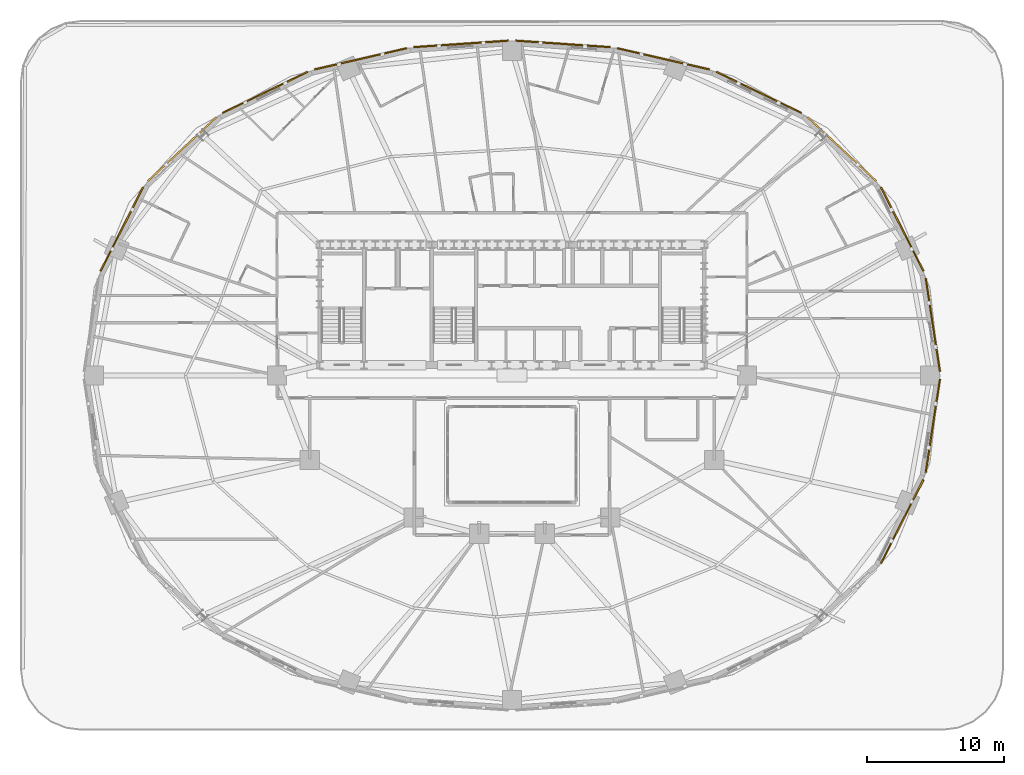
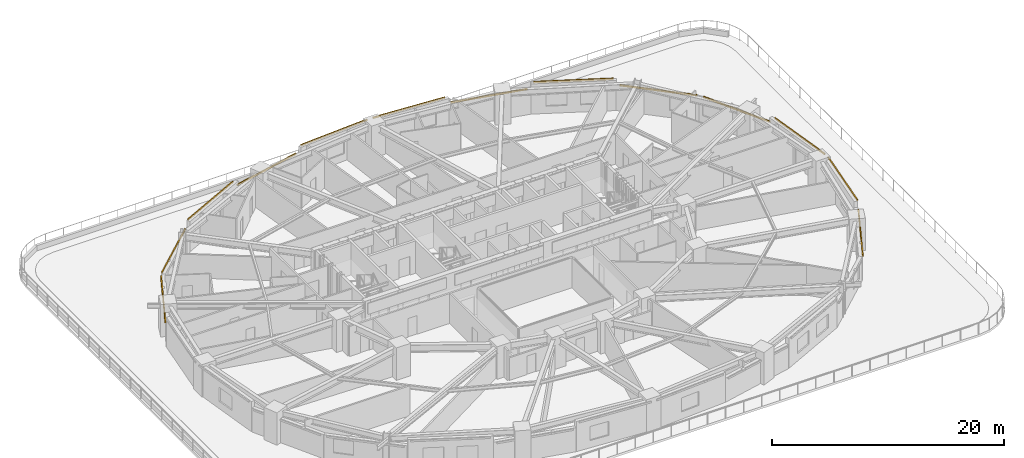
# One storey, part 18 of 18: 13 coverings.
"""IFC4 building model written with IfcOpenShell, lengths in metres."""

import ifcopenshell
import ifcopenshell.guid

model = None  # the IFC model being written
_history = None  # IfcOwnerHistory: only IFC2X3 demands one
_inside = {}  # id of a spatial element -> (the spatial element, [elements in it])
_under = {}  # id of a project, library or spatial element -> (it, [spatial elements below it])
_declared = {}  # id of a project -> (the project, [libraries it declares])
_typed = {}  # id of a type object -> (the type object, [elements of that type])
_made_of = {}  # id of a material, layer set ... -> (it, [elements and type objects made of it])


def new_model(schema):
    """Start an empty IFC model of exactly this schema.

    Asked for "IFC4X3", IfcOpenShell would pick the latest addendum, in which some entities
    have other attributes; the version numbers below select the first issue.
    IFC2X3 requires an IfcOwnerHistory on every rooted entity: one is made here for all.
    """
    global model, _history
    if schema == "IFC4X3":
        model = ifcopenshell.file(schema_version=(4, 3, 0, 0))
    else:
        model = ifcopenshell.file(schema=schema)
    _inside.clear()
    _under.clear()
    _declared.clear()
    _typed.clear()
    _made_of.clear()
    _history = None
    if model.schema == "IFC2X3":
        org = make("IfcOrganization", Name="unknown")
        user = make(
            "IfcPersonAndOrganization",
            ThePerson=make("IfcPerson", FamilyName="unknown"),
            TheOrganization=org,
        )
        app = make(
            "IfcApplication",
            ApplicationDeveloper=org,
            Version="unknown",
            ApplicationFullName="unknown",
            ApplicationIdentifier="unknown",
        )
        _history = make(
            "IfcOwnerHistory",
            OwningUser=user,
            OwningApplication=app,
            ChangeAction="ADDED",
            CreationDate=0,
        )
    return model


def make(cls, **values):
    """One entity of the class cls with the attributes given. An attribute that is None is left unset."""
    return model.create_entity(
        cls, **{name: value for name, value in values.items() if value is not None}
    )


def rooted(cls, **values):
    """An entity with a GlobalId (a new one), such as an element, a storey or a relation."""
    return make(cls, GlobalId=ifcopenshell.guid.new(), OwnerHistory=_history, **values)


def si_unit(unit_type, name, prefix=None):
    """IfcSIUnit, for example si_unit("LENGTHUNIT", "METRE", prefix="MILLI")."""
    return make("IfcSIUnit", UnitType=unit_type, Prefix=prefix, Name=name)


def assignment(units):
    """IfcUnitAssignment: the units of a project."""
    return None if units is None else make("IfcUnitAssignment", Units=units)


def point(xyz):
    """IfcCartesianPoint."""
    return None if xyz is None else make("IfcCartesianPoint", Coordinates=xyz)


def direction(xyz):
    """IfcDirection."""
    return None if xyz is None else make("IfcDirection", DirectionRatios=xyz)


def frame(location, z_axis=None, x_axis=None):
    """IfcAxis2Placement3D, a coordinate frame: its origin and axes. An axis left out is left unset."""
    return make(
        "IfcAxis2Placement3D",
        Location=point(location),
        Axis=direction(z_axis),
        RefDirection=direction(x_axis),
    )


def origin():
    """The frame at (0, 0, 0) with its axes left unset."""
    return frame((0.0, 0.0, 0.0))


def place(relative_to, where):
    """IfcLocalPlacement: puts the frame where relative to a parent placement (None: the world)."""
    return make(
        "IfcLocalPlacement", PlacementRelTo=relative_to, RelativePlacement=where
    )


def context(
    kind, dimensions, precision=None, world=None, true_north=None, identifier=None
):
    """IfcGeometricRepresentationContext, for example the 3D "Model" context."""
    return make(
        "IfcGeometricRepresentationContext",
        ContextIdentifier=identifier,
        ContextType=kind,
        CoordinateSpaceDimension=dimensions,
        Precision=precision,
        WorldCoordinateSystem=world,
        TrueNorth=true_north,
    )


def subcontext(parent, identifier, kind, view, scale=None):
    """IfcGeometricRepresentationSubContext, for example "Body" below "Model"."""
    return make(
        "IfcGeometricRepresentationSubContext",
        ContextIdentifier=identifier,
        ContextType=kind,
        ParentContext=parent,
        TargetScale=scale,
        TargetView=view,
    )


def project(units=None, contexts=None):
    """IfcProject with its units and contexts."""
    return rooted(
        "IfcProject",
        Name="project",
        RepresentationContexts=contexts,
        UnitsInContext=assignment(units),
    )


def spatial(cls, under=None, at=None, **own):
    """A site, building, storey or space (cls), placed at a placement, below another one or the project."""
    s = rooted(cls, ObjectPlacement=at, **own)
    if under is not None:
        _under.setdefault(under.id(), (under, []))[1].append(s)
    return s


def polyline(points):
    """IfcPolyline through the points."""
    return make("IfcPolyline", Points=[point(p) for p in points])


def outline(outer, holes=None, kind="AREA"):
    """IfcArbitraryClosedProfileDef: a profile drawn as a closed curve; with holes, ...WithVoids."""
    if holes is None:
        return make("IfcArbitraryClosedProfileDef", ProfileType=kind, OuterCurve=outer)
    return make(
        "IfcArbitraryProfileDefWithVoids",
        ProfileType=kind,
        OuterCurve=outer,
        InnerCurves=holes,
    )


def extrude(swept, where, along, depth):
    """IfcExtrudedAreaSolid: the profile swept, set in the frame where, extruded along a direction by depth."""
    return make(
        "IfcExtrudedAreaSolid",
        SweptArea=swept,
        Position=where,
        ExtrudedDirection=direction(along),
        Depth=depth,
    )


def shape(context_of_items, identifier, shape_type, items):
    """IfcShapeRepresentation: the items that make up one representation, for example the "Body"."""
    return make(
        "IfcShapeRepresentation",
        ContextOfItems=context_of_items,
        RepresentationIdentifier=identifier,
        RepresentationType=shape_type,
        Items=items,
    )


def material(Name=None, Category=None):
    """IfcMaterial."""
    return make("IfcMaterial", Name=Name, Category=Category)


def layer(
    of_material, thickness, ventilated=None, Name=None, Category=None, Priority=None
):
    """IfcMaterialLayer: one layer of a wall or slab, of a material (None: an air gap)."""
    return make(
        "IfcMaterialLayer",
        Material=of_material,
        LayerThickness=thickness,
        IsVentilated=ventilated,
        Name=Name,
        Category=Category,
        Priority=Priority,
    )


def layer_set(layers, Name=None):
    """IfcMaterialLayerSet."""
    return make("IfcMaterialLayerSet", MaterialLayers=layers, LayerSetName=Name)


def made_of(thing, what):
    """Note that an element or type object is made of a material, layer set ...; save() writes the relation."""
    if what is not None:
        _made_of.setdefault(what.id(), (what, []))[1].append(thing)
    return thing


def type_object(cls, material=None, **own):
    """A type object (cls), such as IfcWallType, which elements share."""
    return made_of(rooted(cls, **own), material)


def element(
    cls,
    number,
    at=None,
    inside=None,
    cuts=None,
    type_object=None,
    material=None,
    context=None,
    identifier="Body",
    shape_type=None,
    held_by="IfcProductDefinitionShape",
    body=None,
    shapes=None,
    **own,
):
    """One element of the class cls, such as IfcWall. Its Tag is "e" and its number.

    at: its placement. inside: the storey or other place that contains it. cuts: it is an
    opening in that element (IfcRelVoidsElement). A single representation is given by context,
    identifier, shape_type and body (its items); several are given by shapes. held_by: the class
    of the entity that holds the representations. save() writes the other relations.
    """
    e = rooted(cls, Tag="e%d" % number, ObjectPlacement=at, **own)
    if body is not None:
        shapes = [shape(context, identifier, shape_type, body)]
    if shapes is not None:
        e.Representation = make(held_by, Representations=shapes)
    if inside is not None:
        _inside.setdefault(inside.id(), (inside, []))[1].append(e)
    if cuts is not None:
        rooted(
            "IfcRelVoidsElement", RelatingBuildingElement=cuts, RelatedOpeningElement=e
        )
    if type_object is not None:
        _typed.setdefault(type_object.id(), (type_object, []))[1].append(e)
    return made_of(e, material)


def aggregate(whole, parts):
    """IfcRelAggregates: a whole, such as a stair, and the parts it consists of."""
    return rooted("IfcRelAggregates", RelatingObject=whole, RelatedObjects=parts)


def save(model, path):
    """Write the relations noted so far, then the file.

    IfcRelAggregates (storeys below a building ...), IfcRelContainedInSpatialStructure (elements
    in a storey), IfcRelDefinesByType, IfcRelAssociatesMaterial and IfcRelDeclares: one each for
    every whole, place, type object, material and project.
    """
    for whole, parts in _under.values():
        aggregate(whole, parts)
    for where, things in _inside.values():
        rooted(
            "IfcRelContainedInSpatialStructure",
            RelatedElements=things,
            RelatingStructure=where,
        )
    for kind, things in _typed.values():
        rooted("IfcRelDefinesByType", RelatedObjects=things, RelatingType=kind)
    for what, things in _made_of.values():
        rooted("IfcRelAssociatesMaterial", RelatedObjects=things, RelatingMaterial=what)
    for by, libraries in _declared.values():
        rooted("IfcRelDeclares", RelatingContext=by, RelatedDefinitions=libraries)
    model.write(path)


model = new_model("IFC4")

# Units and contexts
model_context = context("Model", 3, precision=1e-05, world=origin(), true_north=direction((0.0, 1.0)))
body_context = subcontext(model_context, "Body", "Model", "MODEL_VIEW")
ifc_project = project(units=[si_unit("LENGTHUNIT", "METRE"), si_unit("AREAUNIT", "SQUARE_METRE"), si_unit("VOLUMEUNIT", "CUBIC_METRE"), si_unit("PLANEANGLEUNIT", "RADIAN"), si_unit("MASSUNIT", "GRAM", prefix="KILO")], contexts=[model_context])

# Site, building, storey
site_placement = place(None, origin())
site = spatial("IfcSite", under=ifc_project, at=site_placement, CompositionType="ELEMENT")
building_placement = place(site_placement, origin())
building = spatial("IfcBuilding", under=site, at=building_placement, Name="Haldorwick Loom Tower", CompositionType="ELEMENT")
storey_placement = place(building_placement, frame((0.0, 0.0, 24.0)))
storey = spatial("IfcBuildingStorey", under=building, at=storey_placement, Name="L05", CompositionType="ELEMENT", Elevation=24.0)

# Coverings
ifc_material = material(Name="Corbelled Pressed Clay Face Brick Veneer", Category="masonry")
ifc_layer = layer(ifc_material, 0.110107421875, Name="Corbelled Pressed Clay Face Brick Veneer", Category="masonry")
ifc_layer_set = layer_set([ifc_layer], Name="Corbelled Pressed Clay Face Brick Veneer")
covering_type = type_object("IfcCoveringType", Name="ARC-COV-BRICK110", PredefinedType="CLADDING", material=ifc_layer_set)
covering_1_placement = place(storey_placement, frame((0.0, 0.0, 3.050048828125)))
element("IfcCovering", 1, at=covering_1_placement, inside=storey, type_object=covering_type, Name="L05 Head Face-Brick Lintel Band 1", PredefinedType="CLADDING", context=body_context, shape_type="SweptSolid", body=[
    extrude(outline(polyline([(67.365234375, 26.287841796875), (66.326416015625, 33.114013671875), (66.217529296875, 33.097412109375), (67.256591796875, 26.271240234375), (67.365234375, 26.287841796875)])), origin(), (0.0, 0.0, 1.0), 0.159912109375),
])
covering_2_placement = place(storey_placement, frame((0.0, 0.0, 2.408935546875)))
element("IfcCovering", 2, at=covering_2_placement, inside=storey, type_object=covering_type, Name="L05 Head Face-Brick Lintel Band 2", PredefinedType="CLADDING", context=body_context, shape_type="SweptSolid", body=[
    extrude(outline(polyline([(66.1494140625, 33.665771484375), (63.042724609375, 39.7802734375), (62.944580078125, 39.73046875), (66.05126953125, 33.615966796875), (66.1494140625, 33.665771484375)])), origin(), (0.0, 0.0, 1.0), 0.16015625),
])
covering_3_placement = place(storey_placement, frame((0.0, 0.0, 2.408935546875)))
element("IfcCovering", 3, at=covering_3_placement, inside=storey, type_object=covering_type, Name="L05 Head Face-Brick Lintel Band 3", PredefinedType="CLADDING", context=body_context, shape_type="SweptSolid", body=[
    extrude(outline(polyline([(62.68994140625, 40.248779296875), (57.67138671875, 44.92333984375), (57.59619140625, 44.8427734375), (62.614990234375, 40.16845703125), (62.68994140625, 40.248779296875)])), origin(), (0.0, 0.0, 1.0), 0.16015625),
])
covering_4_placement = place(storey_placement, frame((0.0, 0.0, 3.050048828125)))
element("IfcCovering", 4, at=covering_4_placement, inside=storey, type_object=covering_type, Name="L05 Head Face-Brick Lintel Band 4", PredefinedType="CLADDING", context=body_context, shape_type="SweptSolid", body=[
    extrude(outline(polyline([(57.19677734375, 45.248046875), (50.9873046875, 48.25), (50.939453125, 48.15087890625), (57.14892578125, 45.14892578125), (57.19677734375, 45.248046875)])), origin(), (0.0, 0.0, 1.0), 0.159912109375),
])
covering_5_placement = place(storey_placement, frame((0.0, 0.0, 2.408935546875)))
element("IfcCovering", 5, at=covering_5_placement, inside=storey, type_object=covering_type, Name="L05 Head Face-Brick Lintel Band 5", PredefinedType="CLADDING", context=body_context, shape_type="SweptSolid", body=[
    extrude(outline(polyline([(50.461669921875, 48.434814453125), (43.715576171875, 49.987548828125), (43.69091796875, 49.88037109375), (50.43701171875, 48.32763671875), (50.461669921875, 48.434814453125)])), origin(), (0.0, 0.0, 1.0), 0.16015625),
])
covering_6_placement = place(storey_placement, frame((0.0, 0.0, 3.050048828125)))
element("IfcCovering", 6, at=covering_6_placement, inside=storey, type_object=covering_type, Name="L05 Head Face-Brick Lintel Band 6", PredefinedType="CLADDING", context=body_context, shape_type="SweptSolid", body=[
    extrude(outline(polyline([(43.180419921875, 50.06689453125), (36.267822265625, 50.542236328125), (36.260498046875, 50.4326171875), (43.1728515625, 49.957275390625), (43.180419921875, 50.06689453125)])), origin(), (0.0, 0.0, 1.0), 0.159912109375),
])
covering_7_placement = place(storey_placement, frame((0.0, 0.0, 3.050048828125)))
element("IfcCovering", 7, at=covering_7_placement, inside=storey, type_object=covering_type, Name="L05 Head Face-Brick Lintel Band 7", PredefinedType="CLADDING", context=body_context, shape_type="SweptSolid", body=[
    extrude(outline(polyline([(35.732177734375, 50.542236328125), (28.819580078125, 50.06689453125), (28.8271484375, 49.957275390625), (35.739501953125, 50.4326171875), (35.732177734375, 50.542236328125)])), origin(), (0.0, 0.0, 1.0), 0.159912109375),
])
covering_8_placement = place(storey_placement, frame((0.0, 0.0, 2.408935546875)))
element("IfcCovering", 8, at=covering_8_placement, inside=storey, type_object=covering_type, Name="L05 Head Face-Brick Lintel Band 8", PredefinedType="CLADDING", context=body_context, shape_type="SweptSolid", body=[
    extrude(outline(polyline([(28.284423828125, 49.987548828125), (21.538330078125, 48.434814453125), (21.56298828125, 48.32763671875), (28.30908203125, 49.88037109375), (28.284423828125, 49.987548828125)])), origin(), (0.0, 0.0, 1.0), 0.16015625),
])
covering_9_placement = place(storey_placement, frame((0.0, 0.0, 3.050048828125)))
element("IfcCovering", 9, at=covering_9_placement, inside=storey, type_object=covering_type, Name="L05 Head Face-Brick Lintel Band 9", PredefinedType="CLADDING", context=body_context, shape_type="SweptSolid", body=[
    extrude(outline(polyline([(21.0126953125, 48.25), (14.80322265625, 45.248046875), (14.85107421875, 45.14892578125), (21.060546875, 48.15087890625), (21.0126953125, 48.25)])), origin(), (0.0, 0.0, 1.0), 0.159912109375),
])
covering_10_placement = place(storey_placement, frame((0.0, 0.0, 2.408935546875)))
element("IfcCovering", 10, at=covering_10_placement, inside=storey, type_object=covering_type, Name="L05 Head Face-Brick Lintel Band 10", PredefinedType="CLADDING", context=body_context, shape_type="SweptSolid", body=[
    extrude(outline(polyline([(14.32861328125, 44.92333984375), (9.31005859375, 40.248779296875), (9.385009765625, 40.16845703125), (14.40380859375, 44.8427734375), (14.32861328125, 44.92333984375)])), origin(), (0.0, 0.0, 1.0), 0.16015625),
])
covering_11_placement = place(storey_placement, frame((0.0, 0.0, 2.408935546875)))
element("IfcCovering", 11, at=covering_11_placement, inside=storey, type_object=covering_type, Name="L05 Head Face-Brick Lintel Band 11", PredefinedType="CLADDING", context=body_context, shape_type="SweptSolid", body=[
    extrude(outline(polyline([(8.957275390625, 39.7802734375), (5.8505859375, 33.665771484375), (5.94873046875, 33.615966796875), (9.055419921875, 39.73046875), (8.957275390625, 39.7802734375)])), origin(), (0.0, 0.0, 1.0), 0.16015625),
])
covering_12_placement = place(storey_placement, frame((0.0, 0.0, 2.408935546875)))
element("IfcCovering", 12, at=covering_12_placement, inside=storey, type_object=covering_type, Name="L05 Head Face-Brick Lintel Band 23", PredefinedType="CLADDING", context=body_context, shape_type="SweptSolid", body=[
    extrude(outline(polyline([(63.042724609375, 12.2197265625), (66.1494140625, 18.334228515625), (66.05126953125, 18.384033203125), (62.944580078125, 12.26953125), (63.042724609375, 12.2197265625)])), origin(), (0.0, 0.0, 1.0), 0.16015625),
])
covering_13_placement = place(storey_placement, frame((0.0, 0.0, 3.050048828125)))
element("IfcCovering", 13, at=covering_13_placement, inside=storey, type_object=covering_type, Name="L05 Head Face-Brick Lintel Band 24", PredefinedType="CLADDING", context=body_context, shape_type="SweptSolid", body=[
    extrude(outline(polyline([(66.326416015625, 18.885986328125), (67.365234375, 25.712158203125), (67.256591796875, 25.728759765625), (66.217529296875, 18.902587890625), (66.326416015625, 18.885986328125)])), origin(), (0.0, 0.0, 1.0), 0.159912109375),
])

save(model, "model.ifc")
